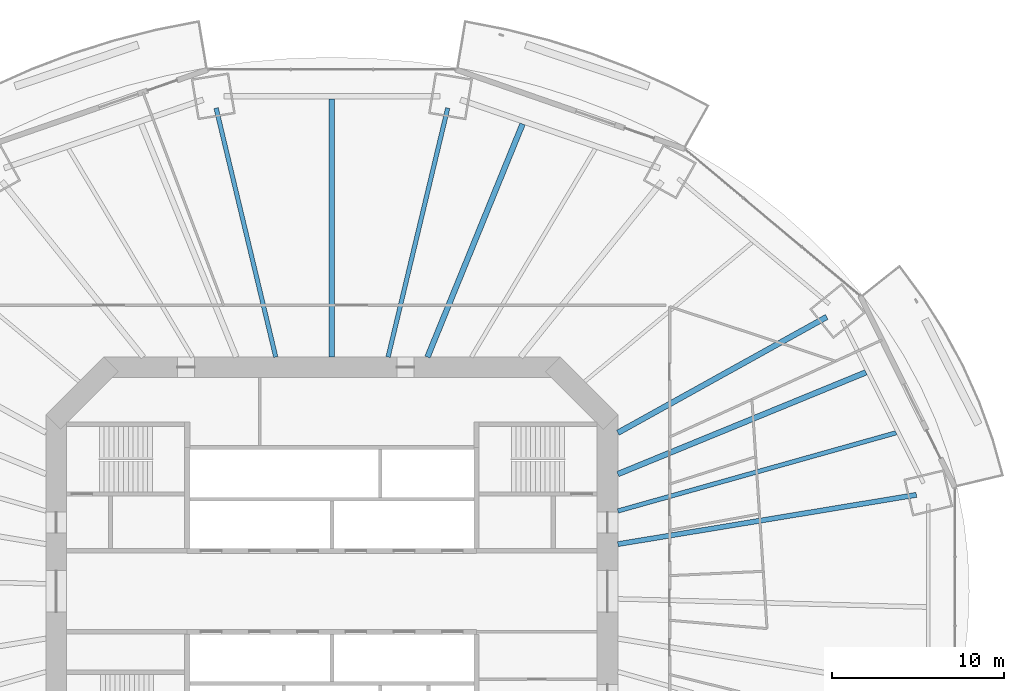
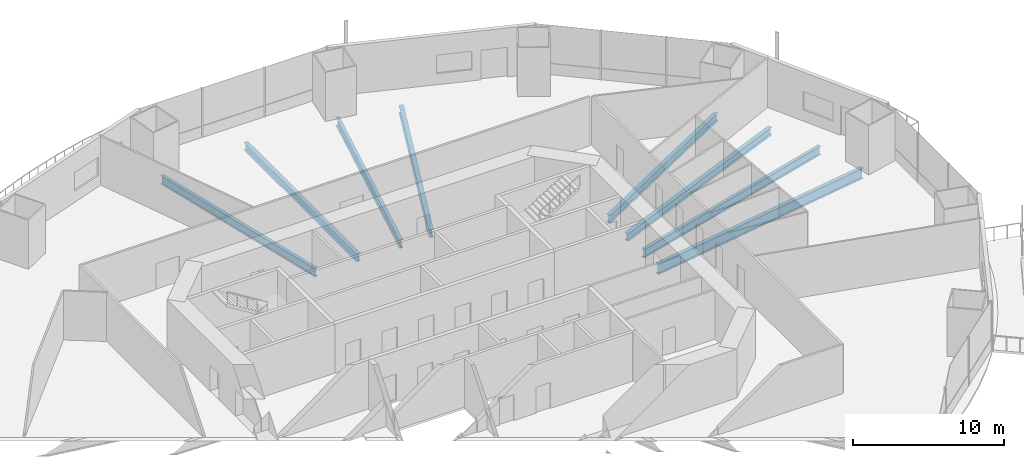
# One storey, part 8 of 23: 8 beams.
"""IFC4 building model written with IfcOpenShell, lengths in metres."""

from ifc_helpers import new_model, si_unit, direction, frame, origin, origin_2d, place, context, subcontext, project, spatial, i_section, extrude, material, material_profile, profile_set, type_object, element, save


model = new_model("IFC4")

# Units and contexts
model_context = context("Model", 3, precision=1e-05, world=origin(), true_north=direction((0.0, 1.0)))
body_context = subcontext(model_context, "Body", "Model", "MODEL_VIEW")
ifc_project = project(units=[si_unit("LENGTHUNIT", "METRE"), si_unit("AREAUNIT", "SQUARE_METRE"), si_unit("VOLUMEUNIT", "CUBIC_METRE"), si_unit("PLANEANGLEUNIT", "RADIAN"), si_unit("MASSUNIT", "GRAM", prefix="KILO")], contexts=[model_context])

# Site, building, storey
site_placement = place(None, origin())
site = spatial("IfcSite", under=ifc_project, at=site_placement, CompositionType="ELEMENT")
building_placement = place(site_placement, origin())
building = spatial("IfcBuilding", under=site, at=building_placement, Name="Marenthal Gate Tower", CompositionType="ELEMENT")
storey_placement = place(building_placement, frame((0.0, 0.0, 37.14990234375)))
storey = spatial("IfcBuildingStorey", under=building, at=storey_placement, Name="L05", CompositionType="ELEMENT", Elevation=37.14990234375)

# Beams
ifc_material_1 = material(Name="Steel S355", Category="steel")
ifc_material_profile_1 = material_profile(ifc_material_1, i_section(OverallWidth=0.324951171875, OverallDepth=0.612060546875, WebThickness=0.0126953125, FlangeThickness=0.01904296875, FilletRadius=0.0126953125, at=origin_2d()), Name="W610X155")
ifc_profile_set_1 = profile_set([ifc_material_profile_1], Name="Steel S355")
beam_type_1 = type_object("IfcBeamType", Name="W610X155 beam", PredefinedType="BEAM", material=ifc_profile_set_1)
beam_1_placement = place(storey_placement, frame((28.72314453125, 15.929931640625, -0.48583984375), z_axis=(-0.874513423091, -0.485001312198, 0.0), x_axis=(0.485001312198, -0.874513423091, 0.0)))
element("IfcBeam", 1, at=beam_1_placement, inside=storey, type_object=beam_type_1, Name="BM-L05-02", PredefinedType="BEAM", context=body_context, shape_type="SweptSolid", body=[
    extrude(i_section(OverallWidth=0.324951171875, OverallDepth=0.612060546875, WebThickness=0.0126953125, FlangeThickness=0.01904296875, FilletRadius=0.0126953125, at=origin_2d()), origin(), (0.0, 0.0, 1.0), 13.862548828125),
])
beam_2_placement = place(storey_placement, frame((31.001708984375, 12.7138671875, -0.48583984375), z_axis=(-0.925221568218, -0.379427265367, 0.0), x_axis=(0.379427265367, -0.925221568218, 0.0)))
element("IfcBeam", 2, at=beam_2_placement, inside=storey, type_object=beam_type_1, Name="BM-L05-18", PredefinedType="BEAM", context=body_context, shape_type="SweptSolid", body=[
    extrude(i_section(OverallWidth=0.324951171875, OverallDepth=0.612060546875, WebThickness=0.0126953125, FlangeThickness=0.01904296875, FilletRadius=0.0126953125, at=origin_2d()), origin(), (0.0, 0.0, 1.0), 15.565673828125),
])
beam_3_placement = place(storey_placement, frame((11.06689453125, 27.1279296875, -0.48583984375), z_axis=(-0.377734751458, -0.925913849956, 0.0), x_axis=(0.925913849956, -0.377734751458, 0.0)))
element("IfcBeam", 3, at=beam_3_placement, inside=storey, type_object=beam_type_1, Name="BM-L05-21", PredefinedType="BEAM", context=body_context, shape_type="SweptSolid", body=[
    extrude(i_section(OverallWidth=0.324951171875, OverallDepth=0.612060546875, WebThickness=0.0126953125, FlangeThickness=0.01904296875, FilletRadius=0.0126953125, at=origin_2d()), origin(), (0.0, 0.0, 1.0), 14.6103515625),
])
beam_4_placement = place(storey_placement, frame((0.0, 28.574462890625, -0.48583984375), z_axis=(0.0, -1.0, 0.0), x_axis=(1.0, 0.0, 0.0)))
element("IfcBeam", 4, at=beam_4_placement, inside=storey, type_object=beam_type_1, Name="BM-L05-22", PredefinedType="BEAM", context=body_context, shape_type="SweptSolid", body=[
    extrude(i_section(OverallWidth=0.324951171875, OverallDepth=0.612060546875, WebThickness=0.0126953125, FlangeThickness=0.01904296875, FilletRadius=0.0126953125, at=origin_2d()), origin(), (0.0, 0.0, 1.0), 14.974365234375),
])
ifc_material_2 = material(Name="Steel S355", Category="steel")
ifc_material_profile_2 = material_profile(ifc_material_2, i_section(OverallWidth=0.257080078125, OverallDepth=0.693115234375, WebThickness=0.014404296875, FlangeThickness=0.023681640625, FilletRadius=0.015380859375, at=origin_2d()), Name="W690X170")
ifc_profile_set_2 = profile_set([ifc_material_profile_2], Name="Steel S355")
beam_type_2 = type_object("IfcBeamType", Name="W690X170 beam", PredefinedType="BEAM", material=ifc_profile_set_2)
for number, where, z_axis, x_axis, name in (
    (5, (6.722900390625, 28.05322265625, -0.5263671875), (-0.233046764578, -0.972465529219, 0.0), (0.972465529219, -0.233046764578, 0.0), "BM-L05-04"),
    (6, (-6.722900390625, 28.05322265625, -0.5263671875), (0.233046764578, -0.972465529219, 0.0), (0.972465529219, 0.233046764578, 0.0), "BM-L05-05"),
):
    element("IfcBeam", number, at=place(storey_placement, frame(where, z_axis=z_axis, x_axis=x_axis)), inside=storey, type_object=beam_type_2, Name=name, PredefinedType="BEAM", context=body_context, shape_type="SweptSolid", body=[
        extrude(i_section(OverallWidth=0.257080078125, OverallDepth=0.693115234375, WebThickness=0.014404296875, FlangeThickness=0.023681640625, FilletRadius=0.015380859375, at=origin_2d()), origin(), (0.0, 0.0, 1.0), 14.8623046875),
    ])
beam_5_placement = place(storey_placement, frame((32.75244140625, 9.205322265625, -0.5263671875), z_axis=(-0.962698331576, -0.270577017467, 0.0), x_axis=(0.270577017467, -0.962698331576, 0.0)))
element("IfcBeam", 7, at=beam_5_placement, inside=storey, type_object=beam_type_2, Name="BM-L05-17", PredefinedType="BEAM", context=body_context, shape_type="SweptSolid", body=[
    extrude(i_section(OverallWidth=0.257080078125, OverallDepth=0.693115234375, WebThickness=0.014404296875, FlangeThickness=0.023681640625, FilletRadius=0.015380859375, at=origin_2d()), origin(), (0.0, 0.0, 1.0), 16.7783203125),
])
ifc_material_3 = material(Name="Steel S355", Category="steel")
ifc_material_profile_3 = material_profile(ifc_material_3, i_section(OverallWidth=0.2919921875, OverallDepth=0.841064453125, WebThickness=0.0146484375, FlangeThickness=0.021728515625, FilletRadius=0.017822265625, at=origin_2d()), Name="W840X193")
ifc_profile_set_3 = profile_set([ifc_material_profile_3], Name="Steel S355")
beam_type_3 = type_object("IfcBeamType", Name="W840X193 beam", PredefinedType="BEAM", material=ifc_profile_set_3)
beam_6_placement = place(storey_placement, frame((33.927978515625, 5.6015625, -0.600341796875), z_axis=(-0.986643376601, -0.162895203762, 0.0), x_axis=(0.162895203762, -0.986643376601, 0.0)))
element("IfcBeam", 8, at=beam_6_placement, inside=storey, type_object=beam_type_3, Name="BM-L05-01", PredefinedType="BEAM", context=body_context, shape_type="SweptSolid", body=[
    extrude(i_section(OverallWidth=0.2919921875, OverallDepth=0.841064453125, WebThickness=0.0146484375, FlangeThickness=0.021728515625, FilletRadius=0.017822265625, at=origin_2d()), origin(), (0.0, 0.0, 1.0), 17.5625),
])

save(model, "model.ifc")
